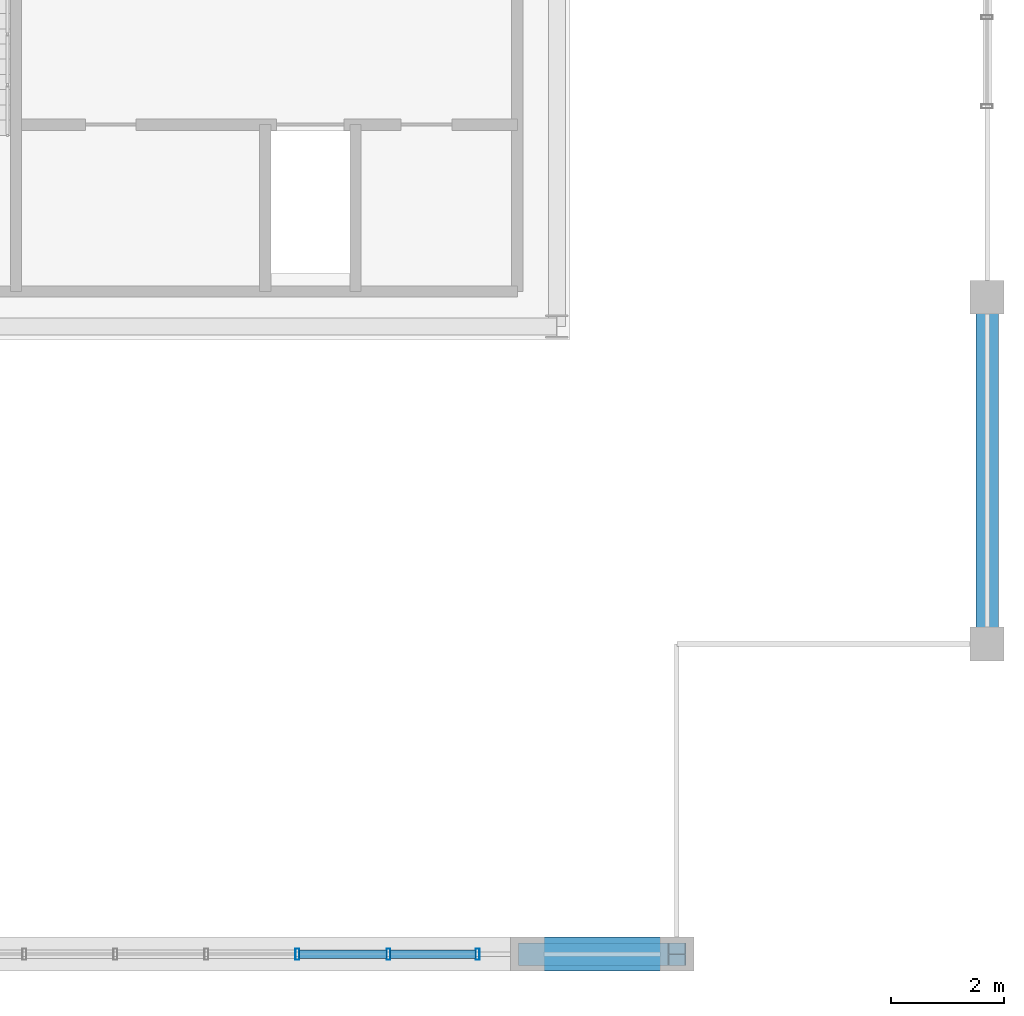
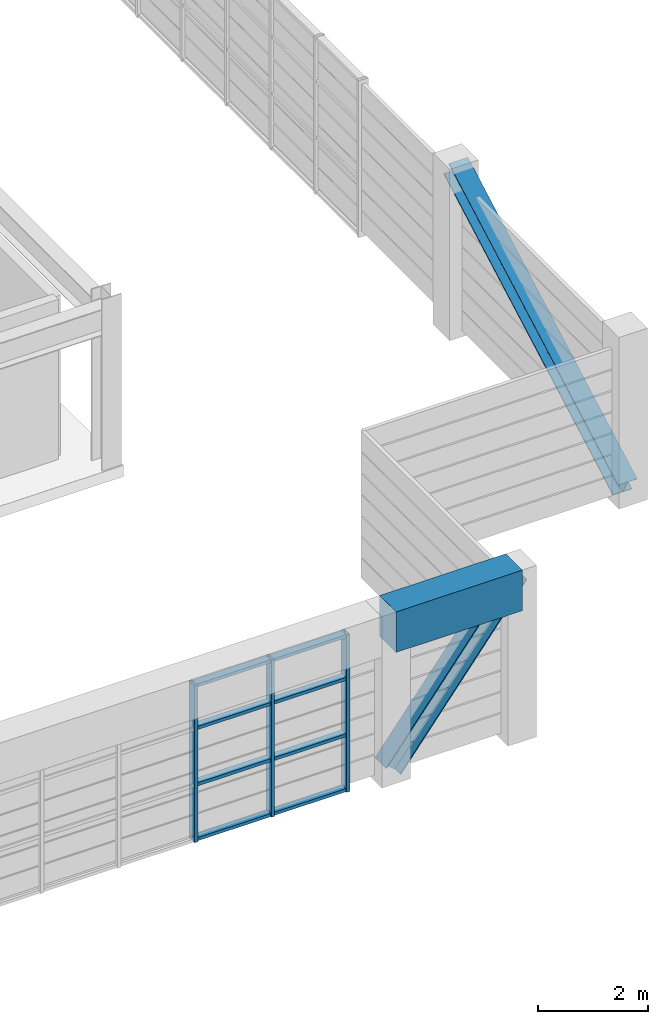
# One storey, part 5 of 21: 13 members, 1 beam, 1 element without a shape of its own.
"""IFC4 building model written with IfcOpenShell, lengths in metres."""

from ifc_helpers import new_model, si_unit, direction, frame, origin, origin_2d, place, context, subcontext, project, spatial, rectangle, hollow_rectangle, i_section, extrude, source, transform, mapped, material, layer, layer_set, material_profile, profile_set, type_object, element, aggregate, save


model = new_model("IFC4")

# Units and contexts
model_context = context("Model", 3, precision=1e-05, world=origin(), true_north=direction((0.0, 1.0)))
body_context = subcontext(model_context, "Body", "Model", "MODEL_VIEW")
ifc_project = project(units=[si_unit("LENGTHUNIT", "METRE"), si_unit("AREAUNIT", "SQUARE_METRE"), si_unit("VOLUMEUNIT", "CUBIC_METRE"), si_unit("PLANEANGLEUNIT", "RADIAN"), si_unit("MASSUNIT", "GRAM", prefix="KILO")], contexts=[model_context])

# Site, building, storey
site_placement = place(None, origin())
site = spatial("IfcSite", under=ifc_project, at=site_placement, CompositionType="ELEMENT")
building_placement = place(site_placement, origin())
building = spatial("IfcBuilding", under=site, at=building_placement, Name="Saelheon Loggia Tower", CompositionType="ELEMENT")
storey_placement = place(building_placement, frame((0.0, 0.0, 267.39990234375)))
storey = spatial("IfcBuildingStorey", under=building, at=storey_placement, Name="CR5", CompositionType="ELEMENT", Elevation=267.39990234375)

# Beam
ifc_material_1 = material(Name="Precast Concrete C45/55", Category="concrete")
ifc_material_profile_1 = material_profile(ifc_material_1, rectangle(XDim=0.60009765625, YDim=0.89990234375, at=origin_2d()), Name="RC-600x900")
ifc_profile_set_1 = profile_set([ifc_material_profile_1], Name="Precast Concrete C45/55")
beam_type = type_object("IfcBeamType", Name="CrownFrame_Ring_RC600x900", PredefinedType="BEAM", material=ifc_profile_set_1)
shared_shape_1 = source(origin(), body_context, "Body", "SweptSolid", [
    extrude(rectangle(XDim=0.60009765625, YDim=0.89990234375, at=origin_2d()), origin(), (0.0, 0.0, 1.0), 2.64990234375),
])
beam_placement = place(storey_placement, frame((44.5, 6.35009765625, 3.35009765625), z_axis=(1.0, 0.0, 0.0), x_axis=(0.0, 1.0, 0.0)))
element("IfcBeam", 1, at=beam_placement, inside=storey, type_object=beam_type, Name="CR5 CROWN FRAME Sill Beam 03", PredefinedType="BEAM", context=body_context, shape_type="MappedRepresentation", body=[
    mapped(shared_shape_1, transform((0.0, 0.0, 0.0), scale=1.0)),
])

# Members
ifc_material_2 = material(Name="Steel SM355", Category="steel")
ifc_material_profile_2 = material_profile(ifc_material_2, i_section(OverallWidth=0.39990234375, OverallDepth=0.39990234375, WebThickness=0.012939453125, FlangeThickness=0.02099609375, at=origin_2d()), Name="H-400x400x13x21")
ifc_profile_set_2 = profile_set([ifc_material_profile_2], Name="Steel SM355")
member_type_1 = type_object("IfcMemberType", Name="CrownFrame_Brace_H400", PredefinedType="BRACE", material=ifc_profile_set_2)
shared_shape_2 = source(origin(), body_context, "Body", "SweptSolid", [
    extrude(i_section(OverallWidth=0.39990234375, OverallDepth=0.39990234375, WebThickness=0.012939453125, FlangeThickness=0.02099609375, at=origin_2d()), origin(), (0.0, 0.0, 1.0), 4.310546875),
])
member_1_placement = place(storey_placement, frame((44.5, 6.35009765625, 0.2001953125), z_axis=(0.614740189852, 0.0, 0.788729674211), x_axis=(0.0, 1.0, 0.0)))
element("IfcMember", 2, at=member_1_placement, inside=storey, type_object=member_type_1, Name="CR5 CROWN FRAME Wind Brace 02", PredefinedType="BRACE", context=body_context, shape_type="MappedRepresentation", body=[
    mapped(shared_shape_2, transform((0.0, 0.0, 0.0), scale=1.0)),
])
shared_shape_3 = source(origin(), body_context, "Body", "SweptSolid", [
    extrude(i_section(OverallWidth=0.39990234375, OverallDepth=0.39990234375, WebThickness=0.012939453125, FlangeThickness=0.02099609375, at=origin_2d()), origin(), (0.0, 0.0, 1.0), 7.027099609375),
])
member_2_placement = place(storey_placement, frame((52.64990234375, 11.85009765625, 0.2001953125), z_axis=(0.0, 0.875164888097, 0.48382478093), x_axis=(-1.0, 0.0, 0.0)))
element("IfcMember", 3, at=member_2_placement, inside=storey, type_object=member_type_1, Name="CR5 CROWN FRAME Wind Brace 03", PredefinedType="BRACE", context=body_context, shape_type="MappedRepresentation", body=[
    mapped(shared_shape_3, transform((0.0, 0.0, 0.0), scale=1.0)),
])

# Curtain wall, members
ifc_material_3 = material(Name="Bronze-Anodised Aluminium and Fritted Ceramic Screen", Category="aluminium")
ifc_layer = layer(ifc_material_3, 0.219970703125)
ifc_layer_set = layer_set([ifc_layer], Name="Bronze-Anodised Aluminium and Fritted Ceramic Screen")
curtain_wall_type = type_object("IfcCurtainWallType", Name="CW_CrownScreen", PredefinedType="NOTDEFINED", material=ifc_layer_set)
curtain_wall_placement = place(storey_placement, origin())
curtain_wall = element("IfcCurtainWall", 4, at=curtain_wall_placement, inside=storey, type_object=curtain_wall_type, Name="CR5 Crown Central Screen Curtain Wall 0", PredefinedType="NOTDEFINED")
ifc_material_4 = material(Name="Bronze-Anodised Aluminium 6063-T6", Category="aluminium")
ifc_material_profile_3 = material_profile(ifc_material_4, hollow_rectangle(XDim=0.070068359375, YDim=0.199951171875, WallThickness=0.0048828125, at=origin_2d()), Name="RHS-200x70x5")
ifc_profile_set_3 = profile_set([ifc_material_profile_3], Name="Bronze-Anodised Aluminium 6063-T6")
member_type_2 = type_object("IfcMemberType", Name="CW_CrownScreen_Mullion", PredefinedType="MULLION", material=ifc_profile_set_3)
shared_shape_4 = source(origin(), body_context, "Body", "SweptSolid", [
    extrude(hollow_rectangle(XDim=0.070068359375, YDim=0.199951171875, WallThickness=0.0048828125, at=origin_2d()), origin(), (0.0, 0.0, 1.0), 3.47998046875),
])
member_3_placement = place(storey_placement, frame((40.42138671875, 6.35009765625, 0.0), z_axis=(0.0, 0.0, 1.0), x_axis=(1.0, 0.0, 0.0)))
member_3 = element("IfcMember", 5, at=member_3_placement, type_object=member_type_2, Name="CW6 mullion 6", PredefinedType="MULLION", context=body_context, shape_type="MappedRepresentation", body=[
    mapped(shared_shape_4, transform((0.0, 0.0, 0.0), scale=1.0)),
])
member_4_placement = place(storey_placement, frame((42.03564453125, 6.35009765625, 0.0), z_axis=(0.0, 0.0, 1.0), x_axis=(1.0, 0.0, 0.0)))
member_4 = element("IfcMember", 6, at=member_4_placement, type_object=member_type_2, Name="CW6 mullion 7", PredefinedType="MULLION", context=body_context, shape_type="MappedRepresentation", body=[
    mapped(shared_shape_4, transform((0.0, 0.0, 0.0), scale=1.0)),
])
member_5_placement = place(storey_placement, frame((43.614990234375, 6.35009765625, 0.0), z_axis=(0.0, 0.0, 1.0), x_axis=(1.0, 0.0, 0.0)))
member_5 = element("IfcMember", 7, at=member_5_placement, type_object=member_type_2, Name="CW6 mullion 8", PredefinedType="MULLION", context=body_context, shape_type="MappedRepresentation", body=[
    mapped(shared_shape_4, transform((0.0, 0.0, 0.0), scale=1.0)),
])
ifc_material_profile_4 = material_profile(ifc_material_4, hollow_rectangle(XDim=0.070068359375, YDim=0.14990234375, WallThickness=0.0048828125, at=origin_2d()), Name="RHS-150x70x5")
ifc_profile_set_4 = profile_set([ifc_material_profile_4], Name="Bronze-Anodised Aluminium 6063-T6")
member_type_3 = type_object("IfcMemberType", Name="CW_CrownScreen_Transom", PredefinedType="USERDEFINED", material=ifc_profile_set_4)
shared_shape_5 = source(origin(), body_context, "Body", "SweptSolid", [
    extrude(hollow_rectangle(XDim=0.070068359375, YDim=0.14990234375, WallThickness=0.0048828125, at=origin_2d()), origin(), (0.0, 0.0, 1.0), 1.50927734375),
])
member_6_placement = place(storey_placement, frame((42.07080078125, 6.35009765625, 0.03515625), z_axis=(1.0, 0.0, 0.0), x_axis=(0.0, 0.0, 1.0)))
member_6 = element("IfcMember", 8, at=member_6_placement, type_object=member_type_3, Name="CW6 transom 7.1", ObjectType="TRANSOM", PredefinedType="USERDEFINED", context=body_context, shape_type="MappedRepresentation", body=[
    mapped(shared_shape_5, transform((0.0, 0.0, 0.0), scale=1.0)),
])
member_7_placement = place(storey_placement, frame((42.07080078125, 6.35009765625, 1.25), z_axis=(1.0, 0.0, 0.0), x_axis=(0.0, 0.0, 1.0)))
member_7 = element("IfcMember", 9, at=member_7_placement, type_object=member_type_3, Name="CW6 transom 7.2", ObjectType="TRANSOM", PredefinedType="USERDEFINED", context=body_context, shape_type="MappedRepresentation", body=[
    mapped(shared_shape_5, transform((0.0, 0.0, 0.0), scale=1.0)),
])
member_8_placement = place(storey_placement, frame((42.07080078125, 6.35009765625, 2.5), z_axis=(1.0, 0.0, 0.0), x_axis=(0.0, 0.0, 1.0)))
member_8 = element("IfcMember", 10, at=member_8_placement, type_object=member_type_3, Name="CW6 transom 7.3", ObjectType="TRANSOM", PredefinedType="USERDEFINED", context=body_context, shape_type="MappedRepresentation", body=[
    mapped(shared_shape_5, transform((0.0, 0.0, 0.0), scale=1.0)),
])
member_9_placement = place(storey_placement, frame((42.07080078125, 6.35009765625, 3.445068359375), z_axis=(1.0, 0.0, 0.0), x_axis=(0.0, 0.0, 1.0)))
member_9 = element("IfcMember", 11, at=member_9_placement, type_object=member_type_3, Name="CW6 transom 7.4", ObjectType="TRANSOM", PredefinedType="USERDEFINED", context=body_context, shape_type="MappedRepresentation", body=[
    mapped(shared_shape_5, transform((0.0, 0.0, 0.0), scale=1.0)),
])
shared_shape_6 = source(origin(), body_context, "Body", "SweptSolid", [
    extrude(hollow_rectangle(XDim=0.070068359375, YDim=0.14990234375, WallThickness=0.0048828125, at=origin_2d()), origin(), (0.0, 0.0, 1.0), 1.544189453125),
])
member_10_placement = place(storey_placement, frame((40.45654296875, 6.35009765625, 0.03515625), z_axis=(1.0, 0.0, 0.0), x_axis=(0.0, 0.0, 1.0)))
member_10 = element("IfcMember", 12, at=member_10_placement, type_object=member_type_3, Name="CW6 transom 6.1", ObjectType="TRANSOM", PredefinedType="USERDEFINED", context=body_context, shape_type="MappedRepresentation", body=[
    mapped(shared_shape_6, transform((0.0, 0.0, 0.0), scale=1.0)),
])
member_11_placement = place(storey_placement, frame((40.45654296875, 6.35009765625, 1.25), z_axis=(1.0, 0.0, 0.0), x_axis=(0.0, 0.0, 1.0)))
member_11 = element("IfcMember", 13, at=member_11_placement, type_object=member_type_3, Name="CW6 transom 6.2", ObjectType="TRANSOM", PredefinedType="USERDEFINED", context=body_context, shape_type="MappedRepresentation", body=[
    mapped(shared_shape_6, transform((0.0, 0.0, 0.0), scale=1.0)),
])
member_12_placement = place(storey_placement, frame((40.45654296875, 6.35009765625, 2.5), z_axis=(1.0, 0.0, 0.0), x_axis=(0.0, 0.0, 1.0)))
member_12 = element("IfcMember", 14, at=member_12_placement, type_object=member_type_3, Name="CW6 transom 6.3", ObjectType="TRANSOM", PredefinedType="USERDEFINED", context=body_context, shape_type="MappedRepresentation", body=[
    mapped(shared_shape_6, transform((0.0, 0.0, 0.0), scale=1.0)),
])
member_13_placement = place(storey_placement, frame((40.45654296875, 6.35009765625, 3.445068359375), z_axis=(1.0, 0.0, 0.0), x_axis=(0.0, 0.0, 1.0)))
member_13 = element("IfcMember", 15, at=member_13_placement, type_object=member_type_3, Name="CW6 transom 6.4", ObjectType="TRANSOM", PredefinedType="USERDEFINED", context=body_context, shape_type="MappedRepresentation", body=[
    mapped(shared_shape_6, transform((0.0, 0.0, 0.0), scale=1.0)),
])
aggregate(curtain_wall, [member_3, member_4, member_5, member_10, member_11, member_12, member_13, member_6, member_7, member_8, member_9])

save(model, "model.ifc")
